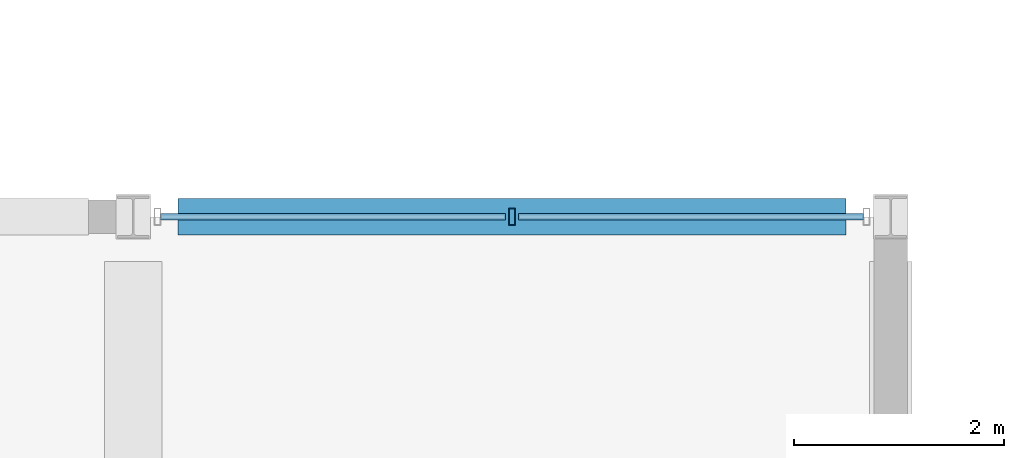
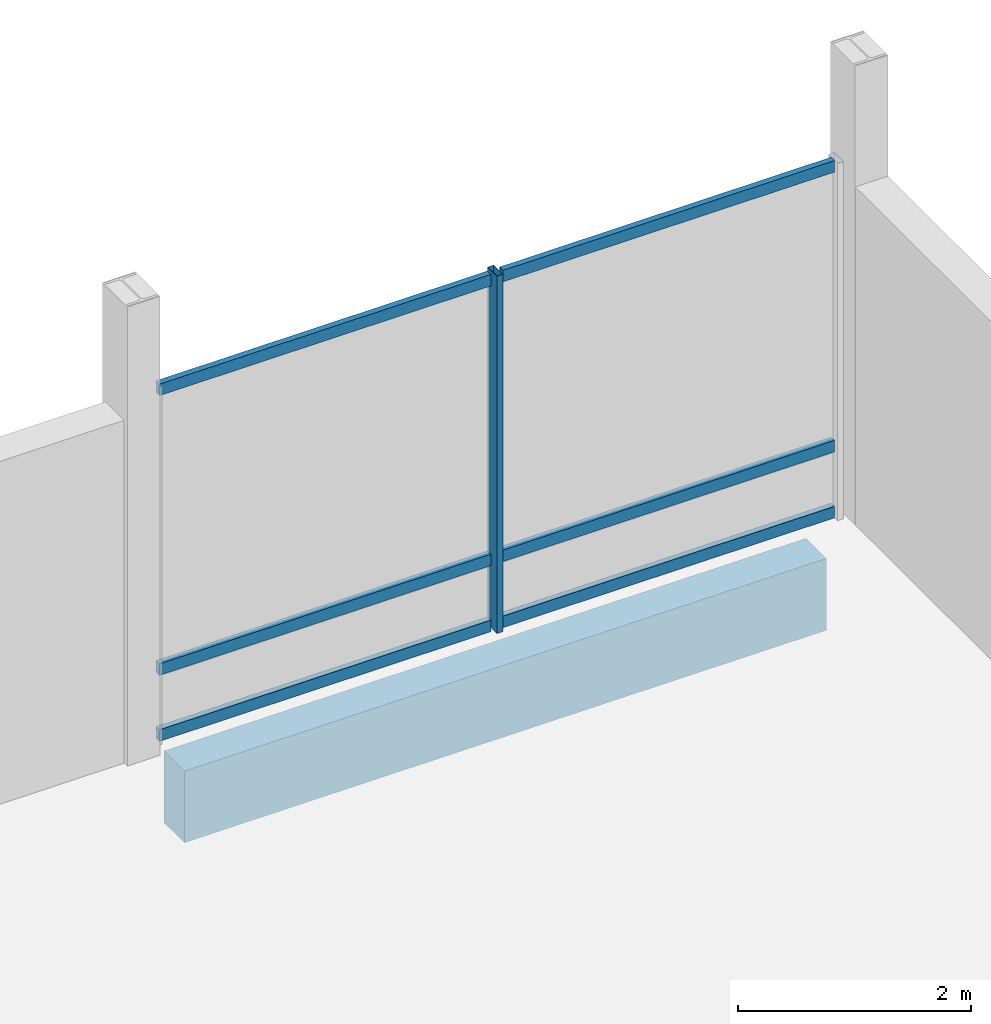
# One storey, part 45 of 220: 7 members, 1 beam, 1 element without a shape of its own.
"""IFC4 building model written with IfcOpenShell, lengths in metres."""

from ifc_helpers import new_model, si_unit, direction, frame, origin, origin_2d, place, context, subcontext, project, spatial, rectangle, hollow_rectangle, extrude, material, material_profile, profile_set, type_object, element, aggregate, save


model = new_model("IFC4")

# Units and contexts
model_context = context("Model", 3, precision=1e-05, world=origin(), true_north=direction((0.0, 1.0)))
body_context = subcontext(model_context, "Body", "Model", "MODEL_VIEW")
ifc_project = project(units=[si_unit("LENGTHUNIT", "METRE"), si_unit("AREAUNIT", "SQUARE_METRE"), si_unit("VOLUMEUNIT", "CUBIC_METRE"), si_unit("PLANEANGLEUNIT", "RADIAN"), si_unit("MASSUNIT", "GRAM", prefix="KILO")], contexts=[model_context])

# Site, building, storey
site_placement = place(None, origin())
site = spatial("IfcSite", under=ifc_project, at=site_placement, CompositionType="ELEMENT")
building_placement = place(site_placement, origin())
building = spatial("IfcBuilding", under=site, at=building_placement, Name="Cendralis Lancet Convention Centre", CompositionType="ELEMENT")
storey_placement = place(building_placement, frame((0.0, 0.0, 5.39990234375)))
storey = spatial("IfcBuildingStorey", under=building, at=storey_placement, Name="L01", CompositionType="ELEMENT", Elevation=5.39990234375)

# Curtain wall, members
ifc_material_1 = material(Name="Anodised bronze architectural aluminium", Category="aluminium")
curtain_wall_type = type_object("IfcCurtainWallType", Name="ARC-CW-CL02", PredefinedType="USERDEFINED", material=ifc_material_1)
curtain_wall_placement = place(storey_placement, origin())
curtain_wall = element("IfcCurtainWall", 1, at=curtain_wall_placement, inside=storey, type_object=curtain_wall_type, Name="L01 Curtain Wall CW-CL2 #169", ObjectType="CURTAIN WALL", PredefinedType="USERDEFINED")
ifc_material_profile_1 = material_profile(ifc_material_1, hollow_rectangle(XDim=0.06005859375, YDim=0.159912109375, WallThickness=0.00390625, at=origin_2d()), Name="AL-MULL 60x160x4.0")
ifc_profile_set_1 = profile_set([ifc_material_profile_1], Name="Anodised bronze architectural aluminium")
member_type_1 = type_object("IfcMemberType", Name="ARC-CW-ML01", PredefinedType="MULLION", material=ifc_profile_set_1)
member_1_placement = place(storey_placement, frame((126.0, 36.0, 0.0), z_axis=(0.0, 0.0, 1.0), x_axis=(1.0, 0.0, 0.0)))
member_1 = element("IfcMember", 2, at=member_1_placement, type_object=member_type_1, Name="Mullion CW2-CW-CL2-L01-169-M1", PredefinedType="MULLION", context=body_context, shape_type="SweptSolid", body=[
    extrude(hollow_rectangle(XDim=0.06005859375, YDim=0.159912109375, WallThickness=0.00390625, at=origin_2d()), origin(), (0.0, 0.0, 1.0), 3.735107421875),
])
ifc_material_profile_2 = material_profile(ifc_material_1, hollow_rectangle(XDim=0.06005859375, YDim=0.1201171875, WallThickness=0.00390625, at=origin_2d()), Name="AL-TRAN 60x120x4.0")
ifc_profile_set_2 = profile_set([ifc_material_profile_2], Name="Anodised bronze architectural aluminium")
member_type_2 = type_object("IfcMemberType", Name="ARC-CW-TR01", PredefinedType="USERDEFINED", material=ifc_profile_set_2)
member_2_placement = place(storey_placement, frame((122.659912109375, 36.0, 0.06005859375), z_axis=(1.0, 0.0, 0.0), x_axis=(0.0, 1.0, 0.0)))
member_2 = element("IfcMember", 3, at=member_2_placement, type_object=member_type_2, Name="Transom CW2-CW-CL2-L01-169-T0BOT", ObjectType="TRANSOM", PredefinedType="USERDEFINED", context=body_context, shape_type="SweptSolid", body=[
    extrude(hollow_rectangle(XDim=0.06005859375, YDim=0.1201171875, WallThickness=0.00390625, at=origin_2d()), origin(), (0.0, 0.0, 1.0), 3.280029296875),
])
member_3_placement = place(storey_placement, frame((122.659912109375, 36.0, 0.75), z_axis=(1.0, 0.0, 0.0), x_axis=(0.0, 1.0, 0.0)))
member_3 = element("IfcMember", 4, at=member_3_placement, type_object=member_type_2, Name="Transom CW2-CW-CL2-L01-169-T0MID", ObjectType="TRANSOM", PredefinedType="USERDEFINED", context=body_context, shape_type="SweptSolid", body=[
    extrude(hollow_rectangle(XDim=0.06005859375, YDim=0.1201171875, WallThickness=0.00390625, at=origin_2d()), origin(), (0.0, 0.0, 1.0), 3.280029296875),
])
member_4_placement = place(storey_placement, frame((122.659912109375, 36.0, 3.675048828125), z_axis=(1.0, 0.0, 0.0), x_axis=(0.0, 1.0, 0.0)))
member_4 = element("IfcMember", 5, at=member_4_placement, type_object=member_type_2, Name="Transom CW2-CW-CL2-L01-169-T0TOP", ObjectType="TRANSOM", PredefinedType="USERDEFINED", context=body_context, shape_type="SweptSolid", body=[
    extrude(hollow_rectangle(XDim=0.06005859375, YDim=0.1201171875, WallThickness=0.00390625, at=origin_2d()), origin(), (0.0, 0.0, 1.0), 3.280029296875),
])
member_5_placement = place(storey_placement, frame((126.06005859375, 36.0, 0.06005859375), z_axis=(1.0, 0.0, 0.0), x_axis=(0.0, 1.0, 0.0)))
member_5 = element("IfcMember", 6, at=member_5_placement, type_object=member_type_2, Name="Transom CW2-CW-CL2-L01-169-T1BOT", ObjectType="TRANSOM", PredefinedType="USERDEFINED", context=body_context, shape_type="SweptSolid", body=[
    extrude(hollow_rectangle(XDim=0.06005859375, YDim=0.1201171875, WallThickness=0.00390625, at=origin_2d()), origin(), (0.0, 0.0, 1.0), 3.280029296875),
])
member_6_placement = place(storey_placement, frame((126.06005859375, 36.0, 0.75), z_axis=(1.0, 0.0, 0.0), x_axis=(0.0, 1.0, 0.0)))
member_6 = element("IfcMember", 7, at=member_6_placement, type_object=member_type_2, Name="Transom CW2-CW-CL2-L01-169-T1MID", ObjectType="TRANSOM", PredefinedType="USERDEFINED", context=body_context, shape_type="SweptSolid", body=[
    extrude(hollow_rectangle(XDim=0.06005859375, YDim=0.1201171875, WallThickness=0.00390625, at=origin_2d()), origin(), (0.0, 0.0, 1.0), 3.280029296875),
])
member_7_placement = place(storey_placement, frame((126.06005859375, 36.0, 3.675048828125), z_axis=(1.0, 0.0, 0.0), x_axis=(0.0, 1.0, 0.0)))
member_7 = element("IfcMember", 8, at=member_7_placement, type_object=member_type_2, Name="Transom CW2-CW-CL2-L01-169-T1TOP", ObjectType="TRANSOM", PredefinedType="USERDEFINED", context=body_context, shape_type="SweptSolid", body=[
    extrude(hollow_rectangle(XDim=0.06005859375, YDim=0.1201171875, WallThickness=0.00390625, at=origin_2d()), origin(), (0.0, 0.0, 1.0), 3.280029296875),
])
aggregate(curtain_wall, [member_1, member_2, member_3, member_4, member_5, member_6, member_7])

# Beam
ifc_material_2 = material(Name="Concrete G40 (C40/50)", Category="concrete")
ifc_material_profile_3 = material_profile(ifc_material_2, rectangle(XDim=0.35009765625, YDim=0.75, at=origin_2d()), Name="RCB 350x750")
ifc_profile_set_3 = profile_set([ifc_material_profile_3], Name="Concrete G40 (C40/50)")
beam_type = type_object("IfcBeamType", Name="STR-SP-SP01", PredefinedType="SPANDREL", material=ifc_profile_set_3)
beam_placement = place(storey_placement, frame((122.824951171875, 36.0, -0.65478515625), z_axis=(1.0, 0.0, 0.0), x_axis=(0.0, 1.0, 0.0)))
element("IfcBeam", 9, at=beam_placement, inside=storey, type_object=beam_type, Name="L01 Beam SP01 #0771", PredefinedType="SPANDREL", context=body_context, shape_type="SweptSolid", body=[
    extrude(rectangle(XDim=0.35009765625, YDim=0.75, at=origin_2d()), origin(), (0.0, 0.0, 1.0), 6.35009765625),
])

save(model, "model.ifc")
